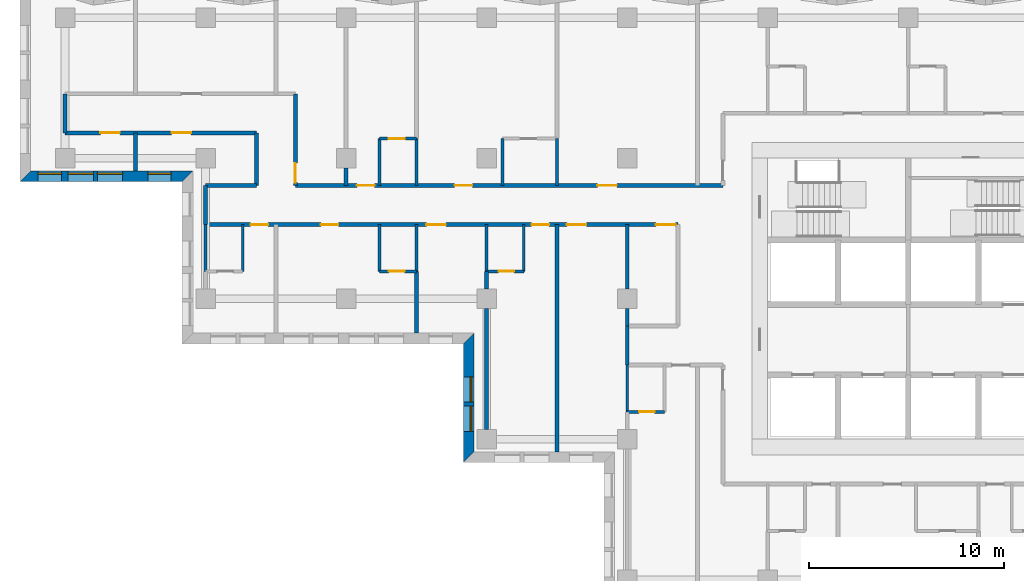
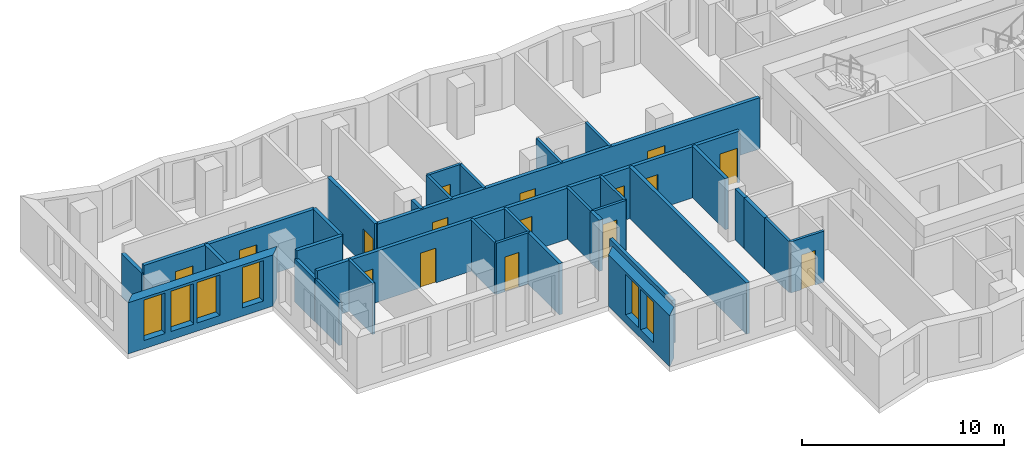
# One storey, part 4 of 13: 34 walls, 16 doors, 6 windows, 22 openings.
"""IFC4 building model written with IfcOpenShell, lengths in metres."""

from ifc_helpers import new_model, si_unit, direction, frame, frame_2d, origin, place, context, subcontext, project, spatial, polyline, rectangle, outline, extrude, material, layer, layer_set, type_object, element, fill, save


model = new_model("IFC4")

# Units and contexts
model_context = context("Model", 3, precision=1e-05, world=origin(), true_north=direction((0.0, 1.0)))
body_context = subcontext(model_context, "Body", "Model", "MODEL_VIEW")
ifc_project = project(units=[si_unit("LENGTHUNIT", "METRE"), si_unit("AREAUNIT", "SQUARE_METRE"), si_unit("VOLUMEUNIT", "CUBIC_METRE"), si_unit("PLANEANGLEUNIT", "RADIAN"), si_unit("MASSUNIT", "GRAM", prefix="KILO")], contexts=[model_context])

# Site, building, storey
site_placement = place(None, origin())
site = spatial("IfcSite", under=ifc_project, at=site_placement, CompositionType="ELEMENT")
building_placement = place(site_placement, origin())
building = spatial("IfcBuilding", under=site, at=building_placement, Name="Windrow Commons", CompositionType="ELEMENT")
storey_placement = place(building_placement, frame((0.0, 0.0, 105.0)))
storey = spatial("IfcBuildingStorey", under=building, at=storey_placement, Name="L28", CompositionType="ELEMENT", Elevation=105.0)

# Wall, openings, windows
ifc_material_1 = material(Name="Brick masonry, red clay brick", Category="masonry")
ifc_layer_1 = layer(ifc_material_1, 0.55)
ifc_layer_set_1 = layer_set([ifc_layer_1], Name="Brick facade wall 550")
wall_type_1 = type_object("IfcWallType", Name="Brick facade wall 550", PredefinedType="SOLIDWALL", material=ifc_layer_set_1)
wall_1_placement = place(storey_placement, frame((19.563, 63.875, 0.0), z_axis=(0.0, 0.0, 1.0), x_axis=(1.0, 0.0, 0.0)))
wall_1 = element("IfcWall", 1, at=wall_1_placement, inside=storey, type_object=wall_type_1, Name="Brick facade wall L28 38", PredefinedType="SOLIDWALL", context=body_context, shape_type="SweptSolid", body=[
    extrude(outline(polyline([(-0.275, -0.275), (8.037, -0.275), (8.587, 0.275), (0.275, 0.275), (-0.275, -0.275)])), origin(), (0.0, 0.0, 1.0), 3.1),
])
opening_1_placement = place(wall_1_placement, frame((2.187, 0.0, 0.5)))
opening_1 = element("IfcOpeningElement", 2, at=opening_1_placement, cuts=wall_1, Name="Opening W1P", PredefinedType="OPENING", context=body_context, shape_type="SweptSolid", body=[
    extrude(rectangle(XDim=1.3, YDim=2.45, at=frame_2d((0.65, 1.225))), frame((0.0, 0.285, 0.0), z_axis=(0.0, -1.0, 0.0), x_axis=(1.0, 0.0, 0.0)), (0.0, 0.0, 1.0), 0.57),
])
opening_2_placement = place(wall_1_placement, frame((3.687, 0.0, 0.5)))
opening_2 = element("IfcOpeningElement", 3, at=opening_2_placement, cuts=wall_1, Name="Opening W1P", PredefinedType="OPENING", context=body_context, shape_type="SweptSolid", body=[
    extrude(rectangle(XDim=1.3, YDim=2.45, at=frame_2d((0.65, 1.225))), frame((0.0, 0.285, 0.0), z_axis=(0.0, -1.0, 0.0), x_axis=(1.0, 0.0, 0.0)), (0.0, 0.0, 1.0), 0.57),
])
opening_3_placement = place(wall_1_placement, frame((0.656, 0.0, 0.5)))
opening_3 = element("IfcOpeningElement", 4, at=opening_3_placement, cuts=wall_1, Name="Opening W7D", PredefinedType="OPENING", context=body_context, shape_type="SweptSolid", body=[
    extrude(rectangle(XDim=1.2, YDim=2.45, at=frame_2d((0.6, 1.225))), frame((0.0, 0.285, 0.0), z_axis=(0.0, -1.0, 0.0), x_axis=(1.0, 0.0, 0.0)), (0.0, 0.0, 1.0), 0.57),
])
opening_4_placement = place(wall_1_placement, frame((6.2745, 0.0, 0.5)))
opening_4 = element("IfcOpeningElement", 5, at=opening_4_placement, cuts=wall_1, Name="Opening W7D", PredefinedType="OPENING", context=body_context, shape_type="SweptSolid", body=[
    extrude(rectangle(XDim=1.2, YDim=2.45, at=frame_2d((0.6, 1.225))), frame((0.0, 0.285, 0.0), z_axis=(0.0, -1.0, 0.0), x_axis=(1.0, 0.0, 0.0)), (0.0, 0.0, 1.0), 0.57),
])
ifc_material_2 = material(Name="Clear float glass in anodised aluminium frame", Category="aluminium")
window_type_1 = type_object("IfcWindowType", Name="Window W1P pair 1300x2450", PartitioningType="SINGLE_PANEL", PredefinedType="WINDOW", material=ifc_material_2)
window_1_placement = place(opening_1_placement, origin())
window_1 = element("IfcWindow", 6, at=window_1_placement, inside=storey, type_object=window_type_1, Name="Window L28 38.1A", OverallHeight=2.45, OverallWidth=1.3, PartitioningType="SINGLE_PANEL", PredefinedType="WINDOW", context=body_context, shape_type="SweptSolid", body=[
    extrude(rectangle(XDim=1.3, YDim=2.45, at=frame_2d((0.65, 1.225))), frame((0.0, 0.155, 0.0), z_axis=(0.0, -1.0, 0.0), x_axis=(1.0, 0.0, 0.0)), (0.0, 0.0, 1.0), 0.06),
])
fill(opening_1, window_1)
window_2_placement = place(opening_2_placement, origin())
window_2 = element("IfcWindow", 7, at=window_2_placement, inside=storey, type_object=window_type_1, Name="Window L28 38.1B", OverallHeight=2.45, OverallWidth=1.3, PartitioningType="SINGLE_PANEL", PredefinedType="WINDOW", context=body_context, shape_type="SweptSolid", body=[
    extrude(rectangle(XDim=1.3, YDim=2.45, at=frame_2d((0.65, 1.225))), frame((0.0, 0.155, 0.0), z_axis=(0.0, -1.0, 0.0), x_axis=(1.0, 0.0, 0.0)), (0.0, 0.0, 1.0), 0.06),
])
fill(opening_2, window_2)
ifc_material_3 = material(Name="Clear float glass in anodised aluminium frame", Category="aluminium")
window_type_2 = type_object("IfcWindowType", Name="Window W7 notch 1200x2450", PartitioningType="SINGLE_PANEL", PredefinedType="WINDOW", material=ifc_material_3)
window_3_placement = place(opening_3_placement, origin())
window_3 = element("IfcWindow", 8, at=window_3_placement, inside=storey, type_object=window_type_2, Name="Window L28 38.2", OverallHeight=2.45, OverallWidth=1.2, PartitioningType="SINGLE_PANEL", PredefinedType="WINDOW", context=body_context, shape_type="SweptSolid", body=[
    extrude(rectangle(XDim=1.2, YDim=2.45, at=frame_2d((0.6, 1.225))), frame((0.0, 0.155, 0.0), z_axis=(0.0, -1.0, 0.0), x_axis=(1.0, 0.0, 0.0)), (0.0, 0.0, 1.0), 0.06),
])
fill(opening_3, window_3)
window_4_placement = place(opening_4_placement, origin())
window_4 = element("IfcWindow", 9, at=window_4_placement, inside=storey, type_object=window_type_2, Name="Window L28 38.3", OverallHeight=2.45, OverallWidth=1.2, PartitioningType="SINGLE_PANEL", PredefinedType="WINDOW", context=body_context, shape_type="SweptSolid", body=[
    extrude(rectangle(XDim=1.2, YDim=2.45, at=frame_2d((0.6, 1.225))), frame((0.0, 0.155, 0.0), z_axis=(0.0, -1.0, 0.0), x_axis=(1.0, 0.0, 0.0)), (0.0, 0.0, 1.0), 0.06),
])
fill(opening_4, window_4)

wall_2_placement = place(storey_placement, frame((42.275, 55.563, 0.0), z_axis=(0.0, 0.0, 1.0), x_axis=(0.0, -1.0, 0.0)))
wall_2 = element("IfcWall", 10, at=wall_2_placement, inside=storey, type_object=wall_type_1, Name="Brick facade wall L28 41", PredefinedType="SOLIDWALL", context=body_context, shape_type="SweptSolid", body=[
    extrude(outline(polyline([(0.275, -0.275), (6.363, -0.275), (5.813, 0.275), (-0.275, 0.275), (0.275, -0.275)])), origin(), (0.0, 0.0, 1.0), 3.1),
])
opening_5_placement = place(wall_2_placement, frame((1.963, 0.0, 0.5)))
opening_5 = element("IfcOpeningElement", 11, at=opening_5_placement, cuts=wall_2, Name="Opening W1P", PredefinedType="OPENING", context=body_context, shape_type="SweptSolid", body=[
    extrude(rectangle(XDim=1.3, YDim=2.45, at=frame_2d((0.65, 1.225))), frame((0.0, 0.285, 0.0), z_axis=(0.0, -1.0, 0.0), x_axis=(1.0, 0.0, 0.0)), (0.0, 0.0, 1.0), 0.57),
])
opening_6_placement = place(wall_2_placement, frame((3.463, 0.0, 0.5)))
opening_6 = element("IfcOpeningElement", 12, at=opening_6_placement, cuts=wall_2, Name="Opening W1P", PredefinedType="OPENING", context=body_context, shape_type="SweptSolid", body=[
    extrude(rectangle(XDim=1.3, YDim=2.45, at=frame_2d((0.65, 1.225))), frame((0.0, 0.285, 0.0), z_axis=(0.0, -1.0, 0.0), x_axis=(1.0, 0.0, 0.0)), (0.0, 0.0, 1.0), 0.57),
])
window_5_placement = place(opening_5_placement, origin())
window_5 = element("IfcWindow", 13, at=window_5_placement, inside=storey, type_object=window_type_1, Name="Window L28 41.1A", OverallHeight=2.45, OverallWidth=1.3, PartitioningType="SINGLE_PANEL", PredefinedType="WINDOW", context=body_context, shape_type="SweptSolid", body=[
    extrude(rectangle(XDim=1.3, YDim=2.45, at=frame_2d((0.65, 1.225))), frame((0.0, 0.155, 0.0), z_axis=(0.0, -1.0, 0.0), x_axis=(1.0, 0.0, 0.0)), (0.0, 0.0, 1.0), 0.06),
])
fill(opening_5, window_5)
window_6_placement = place(opening_6_placement, origin())
window_6 = element("IfcWindow", 14, at=window_6_placement, inside=storey, type_object=window_type_1, Name="Window L28 41.1B", OverallHeight=2.45, OverallWidth=1.3, PartitioningType="SINGLE_PANEL", PredefinedType="WINDOW", context=body_context, shape_type="SweptSolid", body=[
    extrude(rectangle(XDim=1.3, YDim=2.45, at=frame_2d((0.65, 1.225))), frame((0.0, 0.155, 0.0), z_axis=(0.0, -1.0, 0.0), x_axis=(1.0, 0.0, 0.0)), (0.0, 0.0, 1.0), 0.06),
])
fill(opening_6, window_6)

# Wall, openings, doors
ifc_material_4 = material(Name="Blockwork partition", Category="masonry")
ifc_layer_2 = layer(ifc_material_4, 0.2)
ifc_layer_set_2 = layer_set([ifc_layer_2], Name="IW-CORRIDOR-200")
wall_type_2 = type_object("IfcWallType", Name="IW-CORRIDOR-200", PredefinedType="PARTITIONING", material=ifc_layer_set_2)
wall_3_placement = place(storey_placement, frame((28.8, 61.4, 0.0), z_axis=(0.0, 0.0, 1.0), x_axis=(1.0, 0.0, 0.0)))
wall_3 = element("IfcWall", 15, at=wall_3_placement, inside=storey, type_object=wall_type_2, Name="W-L28-W000", PredefinedType="PARTITIONING", context=body_context, shape_type="SweptSolid", body=[
    extrude(rectangle(XDim=24.2, YDim=0.2, at=frame_2d((12.1, 0.0))), origin(), (0.0, 0.0, 1.0), 3.1),
])
opening_7_placement = place(wall_3_placement, frame((2.3, 0.0, 0.0)))
opening_7 = element("IfcOpeningElement", 16, at=opening_7_placement, cuts=wall_3, Name="Opening D109S", PredefinedType="OPENING", context=body_context, shape_type="SweptSolid", body=[
    extrude(rectangle(XDim=0.9, YDim=2.1, at=frame_2d((0.45, 1.05))), frame((0.0, 0.11, 0.0), z_axis=(0.0, -1.0, 0.0), x_axis=(1.0, 0.0, 0.0)), (0.0, 0.0, 1.0), 0.22),
])
opening_8_placement = place(wall_3_placement, frame((5.9006, 0.0, 0.0)))
opening_8 = element("IfcOpeningElement", 17, at=opening_8_placement, cuts=wall_3, Name="Opening D109F", PredefinedType="OPENING", context=body_context, shape_type="SweptSolid", body=[
    extrude(rectangle(XDim=0.9, YDim=2.1, at=frame_2d((0.45, 1.05))), frame((0.0, 0.11, 0.0), z_axis=(0.0, -1.0, 0.0), x_axis=(1.0, 0.0, 0.0)), (0.0, 0.0, 1.0), 0.22),
])
opening_9_placement = place(wall_3_placement, frame((11.3075, 0.0, 0.0)))
opening_9 = element("IfcOpeningElement", 18, at=opening_9_placement, cuts=wall_3, Name="Opening D310F", PredefinedType="OPENING", context=body_context, shape_type="SweptSolid", body=[
    extrude(rectangle(XDim=1.0, YDim=2.1, at=frame_2d((0.5, 1.05))), frame((0.0, 0.11, 0.0), z_axis=(0.0, -1.0, 0.0), x_axis=(1.0, 0.0, 0.0)), (0.0, 0.0, 1.0), 0.22),
])
opening_10_placement = place(wall_3_placement, frame((16.7, 0.0, 0.0)))
opening_10 = element("IfcOpeningElement", 19, at=opening_10_placement, cuts=wall_3, Name="Opening D109S", PredefinedType="OPENING", context=body_context, shape_type="SweptSolid", body=[
    extrude(rectangle(XDim=0.9, YDim=2.1, at=frame_2d((0.45, 1.05))), frame((0.0, 0.11, 0.0), z_axis=(0.0, -1.0, 0.0), x_axis=(1.0, 0.0, 0.0)), (0.0, 0.0, 1.0), 0.22),
])
opening_11_placement = place(wall_3_placement, frame((18.5075, 0.0, 0.0)))
opening_11 = element("IfcOpeningElement", 20, at=opening_11_placement, cuts=wall_3, Name="Opening D310F", PredefinedType="OPENING", context=body_context, shape_type="SweptSolid", body=[
    extrude(rectangle(XDim=1.0, YDim=2.1, at=frame_2d((0.5, 1.05))), frame((0.0, 0.11, 0.0), z_axis=(0.0, -1.0, 0.0), x_axis=(1.0, 0.0, 0.0)), (0.0, 0.0, 1.0), 0.22),
])
opening_12_placement = place(wall_3_placement, frame((23.0741, 0.0, 0.0)))
opening_12 = element("IfcOpeningElement", 21, at=opening_12_placement, cuts=wall_3, Name="Opening D410F", PredefinedType="OPENING", context=body_context, shape_type="SweptSolid", body=[
    extrude(rectangle(XDim=1.0, YDim=2.1, at=frame_2d((0.5, 1.05))), frame((0.0, 0.11, 0.0), z_axis=(0.0, -1.0, 0.0), x_axis=(1.0, 0.0, 0.0)), (0.0, 0.0, 1.0), 0.22),
])
ifc_material_5 = material(Name="Timber door leaf", Category="wood")
door_type_1 = type_object("IfcDoorType", Name="DT-AMENITY-1000", OperationType="SINGLE_SWING_LEFT", PredefinedType="DOOR", material=ifc_material_5)
door_1_placement = place(opening_9_placement, origin())
door_1 = element("IfcDoor", 22, at=door_1_placement, inside=storey, type_object=door_type_1, Name="D-L28-D016", OperationType="SINGLE_SWING_RIGHT", OverallHeight=2.1, OverallWidth=1.0, PredefinedType="DOOR", context=body_context, shape_type="SweptSolid", body=[
    extrude(rectangle(XDim=1.0, YDim=2.1, at=frame_2d((0.5, 1.05))), frame((0.0, 0.025, 0.0), z_axis=(0.0, -1.0, 0.0), x_axis=(1.0, 0.0, 0.0)), (0.0, 0.0, 1.0), 0.05),
])
fill(opening_9, door_1)
door_2_placement = place(opening_11_placement, origin())
door_2 = element("IfcDoor", 23, at=door_2_placement, inside=storey, type_object=door_type_1, Name="D-L28-D019", OperationType="SINGLE_SWING_RIGHT", OverallHeight=2.1, OverallWidth=1.0, PredefinedType="DOOR", context=body_context, shape_type="SweptSolid", body=[
    extrude(rectangle(XDim=1.0, YDim=2.1, at=frame_2d((0.5, 1.05))), frame((0.0, 0.025, 0.0), z_axis=(0.0, -1.0, 0.0), x_axis=(1.0, 0.0, 0.0)), (0.0, 0.0, 1.0), 0.05),
])
fill(opening_11, door_2)
ifc_material_6 = material(Name="Timber door leaf", Category="wood")
door_type_2 = type_object("IfcDoorType", Name="DT-BEDROOM-900", OperationType="SINGLE_SWING_LEFT", PredefinedType="DOOR", material=ifc_material_6)
door_3_placement = place(opening_7_placement, origin())
door_3 = element("IfcDoor", 24, at=door_3_placement, inside=storey, type_object=door_type_2, Name="D-L28-D004", OperationType="SINGLE_SWING_LEFT", OverallHeight=2.1, OverallWidth=0.9, PredefinedType="DOOR", context=body_context, shape_type="SweptSolid", body=[
    extrude(rectangle(XDim=0.9, YDim=2.1, at=frame_2d((0.45, 1.05))), frame((0.0, 0.025, 0.0), z_axis=(0.0, -1.0, 0.0), x_axis=(1.0, 0.0, 0.0)), (0.0, 0.0, 1.0), 0.05),
])
fill(opening_7, door_3)
door_4_placement = place(opening_8_placement, origin())
door_4 = element("IfcDoor", 25, at=door_4_placement, inside=storey, type_object=door_type_2, Name="D-L28-D006", OperationType="SINGLE_SWING_RIGHT", OverallHeight=2.1, OverallWidth=0.9, PredefinedType="DOOR", context=body_context, shape_type="SweptSolid", body=[
    extrude(rectangle(XDim=0.9, YDim=2.1, at=frame_2d((0.45, 1.05))), frame((0.0, 0.025, 0.0), z_axis=(0.0, -1.0, 0.0), x_axis=(1.0, 0.0, 0.0)), (0.0, 0.0, 1.0), 0.05),
])
fill(opening_8, door_4)
door_5_placement = place(opening_10_placement, origin())
door_5 = element("IfcDoor", 26, at=door_5_placement, inside=storey, type_object=door_type_2, Name="D-L28-D017", OperationType="SINGLE_SWING_LEFT", OverallHeight=2.1, OverallWidth=0.9, PredefinedType="DOOR", context=body_context, shape_type="SweptSolid", body=[
    extrude(rectangle(XDim=0.9, YDim=2.1, at=frame_2d((0.45, 1.05))), frame((0.0, 0.025, 0.0), z_axis=(0.0, -1.0, 0.0), x_axis=(1.0, 0.0, 0.0)), (0.0, 0.0, 1.0), 0.05),
])
fill(opening_10, door_5)
ifc_material_7 = material(Name="Timber door leaf", Category="wood")
door_type_3 = type_object("IfcDoorType", Name="DT-SERVICE-1000", OperationType="SINGLE_SWING_LEFT", PredefinedType="DOOR", material=ifc_material_7)
door_6_placement = place(opening_12_placement, origin())
door_6 = element("IfcDoor", 27, at=door_6_placement, inside=storey, type_object=door_type_3, Name="D-L28-D020", OperationType="SINGLE_SWING_LEFT", OverallHeight=2.1, OverallWidth=1.0, PredefinedType="DOOR", context=body_context, shape_type="SweptSolid", body=[
    extrude(rectangle(XDim=1.0, YDim=2.1, at=frame_2d((0.5, 1.05))), frame((0.0, 0.025, 0.0), z_axis=(0.0, -1.0, 0.0), x_axis=(1.0, 0.0, 0.0)), (0.0, 0.0, 1.0), 0.05),
])
fill(opening_12, door_6)

wall_4_placement = place(storey_placement, frame((33.4, 63.4, 0.0), z_axis=(0.0, 0.0, 1.0), x_axis=(1.0, 0.0, 0.0)))
wall_4 = element("IfcWall", 28, at=wall_4_placement, inside=storey, type_object=wall_type_2, Name="W-L28-W001", PredefinedType="PARTITIONING", context=body_context, shape_type="SweptSolid", body=[
    extrude(rectangle(XDim=21.9, YDim=0.2, at=frame_2d((10.95, 0.0))), origin(), (0.0, 0.0, 1.0), 3.1),
])
opening_13_placement = place(wall_4_placement, frame((3.1517, 0.0, 0.0)))
opening_13 = element("IfcOpeningElement", 29, at=opening_13_placement, cuts=wall_4, Name="Opening D109S", PredefinedType="OPENING", context=body_context, shape_type="SweptSolid", body=[
    extrude(rectangle(XDim=0.9, YDim=2.1, at=frame_2d((0.45, 1.05))), frame((0.0, 0.11, 0.0), z_axis=(0.0, -1.0, 0.0), x_axis=(1.0, 0.0, 0.0)), (0.0, 0.0, 1.0), 0.22),
])
opening_14_placement = place(wall_4_placement, frame((8.1607, 0.0, 0.0)))
opening_14 = element("IfcOpeningElement", 30, at=opening_14_placement, cuts=wall_4, Name="Opening D109F", PredefinedType="OPENING", context=body_context, shape_type="SweptSolid", body=[
    extrude(rectangle(XDim=0.9, YDim=2.1, at=frame_2d((0.45, 1.05))), frame((0.0, 0.11, 0.0), z_axis=(0.0, -1.0, 0.0), x_axis=(1.0, 0.0, 0.0)), (0.0, 0.0, 1.0), 0.22),
])
opening_15_placement = place(wall_4_placement, frame((15.4712, 0.0, 0.0)))
opening_15 = element("IfcOpeningElement", 31, at=opening_15_placement, cuts=wall_4, Name="Opening D310F", PredefinedType="OPENING", context=body_context, shape_type="SweptSolid", body=[
    extrude(rectangle(XDim=1.0, YDim=2.1, at=frame_2d((0.5, 1.05))), frame((0.0, 0.11, 0.0), z_axis=(0.0, -1.0, 0.0), x_axis=(1.0, 0.0, 0.0)), (0.0, 0.0, 1.0), 0.22),
])
door_7_placement = place(opening_15_placement, origin())
door_7 = element("IfcDoor", 32, at=door_7_placement, inside=storey, type_object=door_type_1, Name="D-L28-D013", OperationType="SINGLE_SWING_LEFT", OverallHeight=2.1, OverallWidth=1.0, PredefinedType="DOOR", context=body_context, shape_type="SweptSolid", body=[
    extrude(rectangle(XDim=1.0, YDim=2.1, at=frame_2d((0.5, 1.05))), frame((0.0, 0.025, 0.0), z_axis=(0.0, -1.0, 0.0), x_axis=(1.0, 0.0, 0.0)), (0.0, 0.0, 1.0), 0.05),
])
fill(opening_15, door_7)
door_8_placement = place(opening_13_placement, origin())
door_8 = element("IfcDoor", 33, at=door_8_placement, inside=storey, type_object=door_type_2, Name="D-L28-D009", OperationType="SINGLE_SWING_RIGHT", OverallHeight=2.1, OverallWidth=0.9, PredefinedType="DOOR", context=body_context, shape_type="SweptSolid", body=[
    extrude(rectangle(XDim=0.9, YDim=2.1, at=frame_2d((0.45, 1.05))), frame((0.0, 0.025, 0.0), z_axis=(0.0, -1.0, 0.0), x_axis=(1.0, 0.0, 0.0)), (0.0, 0.0, 1.0), 0.05),
])
fill(opening_13, door_8)
door_9_placement = place(opening_14_placement, origin())
door_9 = element("IfcDoor", 34, at=door_9_placement, inside=storey, type_object=door_type_2, Name="D-L28-D011", OperationType="SINGLE_SWING_LEFT", OverallHeight=2.1, OverallWidth=0.9, PredefinedType="DOOR", context=body_context, shape_type="SweptSolid", body=[
    extrude(rectangle(XDim=0.9, YDim=2.1, at=frame_2d((0.45, 1.05))), frame((0.0, 0.025, 0.0), z_axis=(0.0, -1.0, 0.0), x_axis=(1.0, 0.0, 0.0)), (0.0, 0.0, 1.0), 0.05),
])
fill(opening_14, door_9)

wall_5_placement = place(storey_placement, frame((21.602, 66.1, 0.0), z_axis=(0.0, 0.0, 1.0), x_axis=(1.0, 0.0, 0.0)))
wall_5 = element("IfcWall", 35, at=wall_5_placement, inside=storey, type_object=wall_type_2, Name="W-L28-W012", PredefinedType="PARTITIONING", context=body_context, shape_type="SweptSolid", body=[
    extrude(rectangle(XDim=9.796, YDim=0.2, at=frame_2d((4.898, 0.0))), origin(), (0.0, 0.0, 1.0), 3.1),
])
opening_16_placement = place(wall_5_placement, frame((1.8052, 0.0, 0.0)))
opening_16 = element("IfcOpeningElement", 36, at=opening_16_placement, cuts=wall_5, Name="Opening D310F", PredefinedType="OPENING", context=body_context, shape_type="SweptSolid", body=[
    extrude(rectangle(XDim=1.0, YDim=2.1, at=frame_2d((0.5, 1.05))), frame((0.0, 0.11, 0.0), z_axis=(0.0, -1.0, 0.0), x_axis=(1.0, 0.0, 0.0)), (0.0, 0.0, 1.0), 0.22),
])
opening_17_placement = place(wall_5_placement, frame((5.4593, 0.0, 0.0)))
opening_17 = element("IfcOpeningElement", 37, at=opening_17_placement, cuts=wall_5, Name="Opening D310F", PredefinedType="OPENING", context=body_context, shape_type="SweptSolid", body=[
    extrude(rectangle(XDim=1.0, YDim=2.1, at=frame_2d((0.5, 1.05))), frame((0.0, 0.11, 0.0), z_axis=(0.0, -1.0, 0.0), x_axis=(1.0, 0.0, 0.0)), (0.0, 0.0, 1.0), 0.22),
])
door_10_placement = place(opening_16_placement, origin())
door_10 = element("IfcDoor", 38, at=door_10_placement, inside=storey, type_object=door_type_1, Name="D-L28-D001", OperationType="SINGLE_SWING_RIGHT", OverallHeight=2.1, OverallWidth=1.0, PredefinedType="DOOR", context=body_context, shape_type="SweptSolid", body=[
    extrude(rectangle(XDim=1.0, YDim=2.1, at=frame_2d((0.5, 1.05))), frame((0.0, 0.025, 0.0), z_axis=(0.0, -1.0, 0.0), x_axis=(1.0, 0.0, 0.0)), (0.0, 0.0, 1.0), 0.05),
])
fill(opening_16, door_10)
door_11_placement = place(opening_17_placement, origin())
door_11 = element("IfcDoor", 39, at=door_11_placement, inside=storey, type_object=door_type_1, Name="D-L28-D002", OperationType="SINGLE_SWING_RIGHT", OverallHeight=2.1, OverallWidth=1.0, PredefinedType="DOOR", context=body_context, shape_type="SweptSolid", body=[
    extrude(rectangle(XDim=1.0, YDim=2.1, at=frame_2d((0.5, 1.05))), frame((0.0, 0.025, 0.0), z_axis=(0.0, -1.0, 0.0), x_axis=(1.0, 0.0, 0.0)), (0.0, 0.0, 1.0), 0.05),
])
fill(opening_17, door_11)

# Wall, opening, door
wall_6_placement = place(storey_placement, frame((33.4, 63.402, 0.0), z_axis=(0.0, 0.0, 1.0), x_axis=(0.0, 1.0, 0.0)))
wall_6 = element("IfcWall", 40, at=wall_6_placement, inside=storey, type_object=wall_type_2, Name="W-L28-W043", PredefinedType="PARTITIONING", context=body_context, shape_type="SweptSolid", body=[
    extrude(rectangle(XDim=4.698, YDim=0.2, at=frame_2d((2.349, 0.0))), origin(), (0.0, 0.0, 1.0), 3.1),
])
opening_18_placement = place(wall_6_placement, frame((0.1459, 0.0, 0.0)))
opening_18 = element("IfcOpeningElement", 41, at=opening_18_placement, cuts=wall_6, Name="Opening D310F", PredefinedType="OPENING", context=body_context, shape_type="SweptSolid", body=[
    extrude(rectangle(XDim=1.0, YDim=2.1, at=frame_2d((0.5, 1.05))), frame((0.0, 0.11, 0.0), z_axis=(0.0, -1.0, 0.0), x_axis=(1.0, 0.0, 0.0)), (0.0, 0.0, 1.0), 0.22),
])
door_12_placement = place(opening_18_placement, origin())
door_12 = element("IfcDoor", 42, at=door_12_placement, inside=storey, type_object=door_type_1, Name="D-L28-D008", OperationType="SINGLE_SWING_LEFT", OverallHeight=2.1, OverallWidth=1.0, PredefinedType="DOOR", context=body_context, shape_type="SweptSolid", body=[
    extrude(rectangle(XDim=1.0, YDim=2.1, at=frame_2d((0.5, 1.05))), frame((0.0, 0.025, 0.0), z_axis=(0.0, -1.0, 0.0), x_axis=(1.0, 0.0, 0.0)), (0.0, 0.0, 1.0), 0.05),
])
fill(opening_18, door_12)

# Walls
wall_7_placement = place(storey_placement, frame((31.4, 63.402, 0.0), z_axis=(0.0, 0.0, 1.0), x_axis=(0.0, 1.0, 0.0)))
element("IfcWall", 43, at=wall_7_placement, inside=storey, type_object=wall_type_2, Name="W-L28-W061", PredefinedType="PARTITIONING", context=body_context, shape_type="SweptSolid", body=[
    extrude(rectangle(XDim=2.696, YDim=0.2, at=frame_2d((1.348, 0.0))), origin(), (0.0, 0.0, 1.0), 3.1),
])
wall_8_placement = place(storey_placement, frame((28.802, 63.4, 0.0), z_axis=(0.0, 0.0, 1.0), x_axis=(1.0, 0.0, 0.0)))
element("IfcWall", 44, at=wall_8_placement, inside=storey, type_object=wall_type_2, Name="W-L28-W063", PredefinedType="PARTITIONING", context=body_context, shape_type="SweptSolid", body=[
    extrude(rectangle(XDim=2.596, YDim=0.2, at=frame_2d((1.298, 0.0))), origin(), (0.0, 0.0, 1.0), 3.1),
])
wall_9_placement = place(storey_placement, frame((28.8, 61.4, 0.0), z_axis=(0.0, 0.0, 1.0), x_axis=(0.0, 1.0, 0.0)))
element("IfcWall", 45, at=wall_9_placement, inside=storey, type_object=wall_type_2, Name="W-L28-W104", PredefinedType="PARTITIONING", context=body_context, shape_type="SweptSolid", body=[
    extrude(rectangle(XDim=2.0, YDim=0.2, at=frame_2d((1.0, 0.0))), origin(), (0.0, 0.0, 1.0), 2.6),
])
wall_10_placement = place(storey_placement, frame((50.4, 54.2, 0.0), z_axis=(0.0, 0.0, 1.0), x_axis=(0.0, 1.0, 0.0)))
element("IfcWall", 46, at=wall_10_placement, inside=storey, type_object=wall_type_2, Name="W-L28-W105", PredefinedType="PARTITIONING", context=body_context, shape_type="SweptSolid", body=[
    extrude(rectangle(XDim=2.0, YDim=0.2, at=frame_2d((1.0, 0.0))), origin(), (0.0, 0.0, 1.0), 3.1),
])
wall_11_placement = place(storey_placement, frame((21.6, 66.102, 0.0), z_axis=(0.0, 0.0, 1.0), x_axis=(0.0, 1.0, 0.0)))
element("IfcWall", 47, at=wall_11_placement, inside=storey, type_object=wall_type_2, Name="W-L28-W113", PredefinedType="PARTITIONING", context=body_context, shape_type="SweptSolid", body=[
    extrude(rectangle(XDim=1.996, YDim=0.2, at=frame_2d((0.998, 0.0))), origin(), (0.0, 0.0, 1.0), 2.6),
])
ifc_material_8 = material(Name="Blockwork partition", Category="masonry")
ifc_layer_3 = layer(ifc_material_8, 0.15)
ifc_layer_set_3 = layer_set([ifc_layer_3], Name="IW-ENSUITE-150")
wall_type_3 = type_object("IfcWallType", Name="IW-ENSUITE-150", PredefinedType="PARTITIONING", material=ifc_layer_set_3)
for number, where, z_axis, x_axis, name in (
    (48, (50.4, 51.8, 0.0), (0.0, 0.0, 1.0), (0.0, 1.0, 0.0), "W-L28-W071"),
    (49, (30.7, 59.0, 0.0), (0.0, 0.0, 1.0), (0.0, 1.0, 0.0), "W-L28-W076"),
):
    element("IfcWall", number, at=place(storey_placement, frame(where, z_axis=z_axis, x_axis=x_axis)), inside=storey, type_object=wall_type_3, Name=name, PredefinedType="PARTITIONING", context=body_context, shape_type="SweptSolid", body=[
        extrude(rectangle(XDim=2.4, YDim=0.15, at=frame_2d((1.2, 0.0))), origin(), (0.0, 0.0, 1.0), 3.1),
    ])
wall_12_placement = place(storey_placement, frame((28.8, 59.0, 0.0), z_axis=(0.0, 0.0, 1.0), x_axis=(0.0, 1.0, 0.0)))
element("IfcWall", 50, at=wall_12_placement, inside=storey, type_object=wall_type_3, Name="W-L28-W077", PredefinedType="PARTITIONING", context=body_context, shape_type="SweptSolid", body=[
    extrude(rectangle(XDim=2.4, YDim=0.15, at=frame_2d((1.2, 0.0))), origin(), (0.0, 0.0, 1.0), 2.6),
])
for number, where, z_axis, x_axis, name in (
    (51, (37.7, 59.0, 0.0), (0.0, 0.0, 1.0), (0.0, 1.0, 0.0), "W-L28-W078"),
    (52, (37.7, 63.4, 0.0), (0.0, 0.0, 1.0), (0.0, 1.0, 0.0), "W-L28-W079"),
    (53, (39.6, 59.0, 0.0), (0.0, 0.0, 1.0), (0.0, 1.0, 0.0), "W-L28-W080"),
    (54, (39.6, 63.4, 0.0), (0.0, 0.0, 1.0), (0.0, 1.0, 0.0), "W-L28-W081"),
    (55, (45.1, 59.0, 0.0), (0.0, 0.0, 1.0), (0.0, 1.0, 0.0), "W-L28-W082"),
    (56, (43.2, 59.0, 0.0), (0.0, 0.0, 1.0), (0.0, 1.0, 0.0), "W-L28-W083"),
    (57, (44.0, 63.4, 0.0), (0.0, 0.0, 1.0), (0.0, 1.0, 0.0), "W-L28-W084"),
    (58, (46.8, 63.4, 0.0), (0.0, 0.0, 1.0), (0.0, 1.0, 0.0), "W-L28-W085"),
):
    element("IfcWall", number, at=place(storey_placement, frame(where, z_axis=z_axis, x_axis=x_axis)), inside=storey, type_object=wall_type_3, Name=name, PredefinedType="PARTITIONING", context=body_context, shape_type="SweptSolid", body=[
        extrude(rectangle(XDim=2.4, YDim=0.15, at=frame_2d((1.2, 0.0))), origin(), (0.0, 0.0, 1.0), 3.1),
    ])

# Wall, opening, door
wall_13_placement = place(storey_placement, frame((37.7, 59.0, 0.0), z_axis=(0.0, 0.0, 1.0), x_axis=(1.0, 0.0, 0.0)))
wall_13 = element("IfcWall", 59, at=wall_13_placement, inside=storey, type_object=wall_type_3, Name="W-L28-W122", PredefinedType="PARTITIONING", context=body_context, shape_type="SweptSolid", body=[
    extrude(rectangle(XDim=1.9, YDim=0.15, at=frame_2d((0.95, 0.0))), origin(), (0.0, 0.0, 1.0), 3.1),
])
opening_19_placement = place(wall_13_placement, frame((0.4931, 0.0, 0.0)))
opening_19 = element("IfcOpeningElement", 60, at=opening_19_placement, cuts=wall_13, Name="Opening D208N", PredefinedType="OPENING", context=body_context, shape_type="SweptSolid", body=[
    extrude(rectangle(XDim=0.8, YDim=2.1, at=frame_2d((0.4, 1.05))), frame((0.0, 0.085, 0.0), z_axis=(0.0, -1.0, 0.0), x_axis=(1.0, 0.0, 0.0)), (0.0, 0.0, 1.0), 0.17),
])
ifc_material_9 = material(Name="Timber door leaf", Category="wood")
door_type_4 = type_object("IfcDoorType", Name="DT-ENSUITE-800", OperationType="SINGLE_SWING_LEFT", PredefinedType="DOOR", material=ifc_material_9)
door_13_placement = place(opening_19_placement, origin())
door_13 = element("IfcDoor", 61, at=door_13_placement, inside=storey, type_object=door_type_4, Name="D-L28-D007", OperationType="SINGLE_SWING_RIGHT", OverallHeight=2.1, OverallWidth=0.8, PredefinedType="DOOR", context=body_context, shape_type="SweptSolid", body=[
    extrude(rectangle(XDim=0.8, YDim=2.1, at=frame_2d((0.4, 1.05))), frame((0.0, 0.025, 0.0), z_axis=(0.0, -1.0, 0.0), x_axis=(1.0, 0.0, 0.0)), (0.0, 0.0, 1.0), 0.05),
])
fill(opening_19, door_13)

wall_14_placement = place(storey_placement, frame((43.2, 59.0, 0.0), z_axis=(0.0, 0.0, 1.0), x_axis=(1.0, 0.0, 0.0)))
wall_14 = element("IfcWall", 62, at=wall_14_placement, inside=storey, type_object=wall_type_3, Name="W-L28-W123", PredefinedType="PARTITIONING", context=body_context, shape_type="SweptSolid", body=[
    extrude(rectangle(XDim=1.9, YDim=0.15, at=frame_2d((0.95, 0.0))), origin(), (0.0, 0.0, 1.0), 3.1),
])
opening_20_placement = place(wall_14_placement, frame((0.6069, 0.0, 0.0)))
opening_20 = element("IfcOpeningElement", 63, at=opening_20_placement, cuts=wall_14, Name="Opening D208N", PredefinedType="OPENING", context=body_context, shape_type="SweptSolid", body=[
    extrude(rectangle(XDim=0.8, YDim=2.1, at=frame_2d((0.4, 1.05))), frame((0.0, 0.085, 0.0), z_axis=(0.0, -1.0, 0.0), x_axis=(1.0, 0.0, 0.0)), (0.0, 0.0, 1.0), 0.17),
])
door_14_placement = place(opening_20_placement, origin())
door_14 = element("IfcDoor", 64, at=door_14_placement, inside=storey, type_object=door_type_4, Name="D-L28-D018", OperationType="SINGLE_SWING_RIGHT", OverallHeight=2.1, OverallWidth=0.8, PredefinedType="DOOR", context=body_context, shape_type="SweptSolid", body=[
    extrude(rectangle(XDim=0.8, YDim=2.1, at=frame_2d((0.4, 1.05))), frame((0.0, 0.025, 0.0), z_axis=(0.0, -1.0, 0.0), x_axis=(1.0, 0.0, 0.0)), (0.0, 0.0, 1.0), 0.05),
])
fill(opening_20, door_14)

wall_15_placement = place(storey_placement, frame((37.7, 65.8, 0.0), z_axis=(0.0, 0.0, 1.0), x_axis=(1.0, 0.0, 0.0)))
wall_15 = element("IfcWall", 65, at=wall_15_placement, inside=storey, type_object=wall_type_3, Name="W-L28-W124", PredefinedType="PARTITIONING", context=body_context, shape_type="SweptSolid", body=[
    extrude(rectangle(XDim=1.9, YDim=0.15, at=frame_2d((0.95, 0.0))), origin(), (0.0, 0.0, 1.0), 3.1),
])
opening_21_placement = place(wall_15_placement, frame((0.4931, 0.0, 0.0)))
opening_21 = element("IfcOpeningElement", 66, at=opening_21_placement, cuts=wall_15, Name="Opening D208N", PredefinedType="OPENING", context=body_context, shape_type="SweptSolid", body=[
    extrude(rectangle(XDim=0.8, YDim=2.1, at=frame_2d((0.4, 1.05))), frame((0.0, 0.085, 0.0), z_axis=(0.0, -1.0, 0.0), x_axis=(1.0, 0.0, 0.0)), (0.0, 0.0, 1.0), 0.17),
])
door_15_placement = place(opening_21_placement, origin())
door_15 = element("IfcDoor", 67, at=door_15_placement, inside=storey, type_object=door_type_4, Name="D-L28-D010", OperationType="SINGLE_SWING_RIGHT", OverallHeight=2.1, OverallWidth=0.8, PredefinedType="DOOR", context=body_context, shape_type="SweptSolid", body=[
    extrude(rectangle(XDim=0.8, YDim=2.1, at=frame_2d((0.4, 1.05))), frame((0.0, 0.025, 0.0), z_axis=(0.0, -1.0, 0.0), x_axis=(1.0, 0.0, 0.0)), (0.0, 0.0, 1.0), 0.05),
])
fill(opening_21, door_15)

wall_16_placement = place(storey_placement, frame((50.4, 51.8, 0.0), z_axis=(0.0, 0.0, 1.0), x_axis=(1.0, 0.0, 0.0)))
wall_16 = element("IfcWall", 68, at=wall_16_placement, inside=storey, type_object=wall_type_3, Name="W-L28-W125", PredefinedType="PARTITIONING", context=body_context, shape_type="SweptSolid", body=[
    extrude(rectangle(XDim=1.9, YDim=0.15, at=frame_2d((0.95, 0.0))), origin(), (0.0, 0.0, 1.0), 3.1),
])
opening_22_placement = place(wall_16_placement, frame((0.6069, 0.0, 0.0)))
opening_22 = element("IfcOpeningElement", 69, at=opening_22_placement, cuts=wall_16, Name="Opening D208N", PredefinedType="OPENING", context=body_context, shape_type="SweptSolid", body=[
    extrude(rectangle(XDim=0.8, YDim=2.1, at=frame_2d((0.4, 1.05))), frame((0.0, 0.085, 0.0), z_axis=(0.0, -1.0, 0.0), x_axis=(1.0, 0.0, 0.0)), (0.0, 0.0, 1.0), 0.17),
])
door_16_placement = place(opening_22_placement, origin())
door_16 = element("IfcDoor", 70, at=door_16_placement, inside=storey, type_object=door_type_4, Name="D-L28-D022", OperationType="SINGLE_SWING_RIGHT", OverallHeight=2.1, OverallWidth=0.8, PredefinedType="DOOR", context=body_context, shape_type="SweptSolid", body=[
    extrude(rectangle(XDim=0.8, YDim=2.1, at=frame_2d((0.4, 1.05))), frame((0.0, 0.025, 0.0), z_axis=(0.0, -1.0, 0.0), x_axis=(1.0, 0.0, 0.0)), (0.0, 0.0, 1.0), 0.05),
])
fill(opening_22, door_16)

# Walls
ifc_material_10 = material(Name="Blockwork partition", Category="masonry")
ifc_layer_4 = layer(ifc_material_10, 0.2)
ifc_layer_set_4 = layer_set([ifc_layer_4], Name="IW-PARTY-200")
wall_type_4 = type_object("IfcWallType", Name="IW-PARTY-200", PredefinedType="PARTITIONING", material=ifc_layer_set_4)
wall_17_placement = place(storey_placement, frame((46.8, 49.75, 0.0), z_axis=(0.0, 0.0, 1.0), x_axis=(0.0, 1.0, 0.0)))
element("IfcWall", 71, at=wall_17_placement, inside=storey, type_object=wall_type_4, Name="W-L28-W010", PredefinedType="PARTITIONING", context=body_context, shape_type="SweptSolid", body=[
    extrude(rectangle(XDim=11.65, YDim=0.2, at=frame_2d((5.825, 0.0))), origin(), (0.0, 0.0, 1.0), 3.1),
])
wall_18_placement = place(storey_placement, frame((43.2, 50.9, 0.0), z_axis=(0.0, 0.0, 1.0), x_axis=(0.0, 1.0, 0.0)))
element("IfcWall", 72, at=wall_18_placement, inside=storey, type_object=wall_type_4, Name="W-L28-W025", PredefinedType="PARTITIONING", context=body_context, shape_type="SweptSolid", body=[
    extrude(rectangle(XDim=6.2, YDim=0.2, at=frame_2d((3.1, 0.0))), origin(), (0.0, 0.0, 1.0), 2.6),
])
wall_19_placement = place(storey_placement, frame((50.4, 58.1, 0.0), z_axis=(0.0, 0.0, 1.0), x_axis=(0.0, 1.0, 0.0)))
element("IfcWall", 73, at=wall_19_placement, inside=storey, type_object=wall_type_4, Name="W-L28-W055", PredefinedType="PARTITIONING", context=body_context, shape_type="SweptSolid", body=[
    extrude(rectangle(XDim=3.3, YDim=0.2, at=frame_2d((1.65, 0.0))), origin(), (0.0, 0.0, 1.0), 3.1),
])
wall_20_placement = place(storey_placement, frame((39.6, 55.838, 0.0), z_axis=(0.0, 0.0, 1.0), x_axis=(0.0, 1.0, 0.0)))
element("IfcWall", 74, at=wall_20_placement, inside=storey, type_object=wall_type_4, Name="W-L28-W059", PredefinedType="PARTITIONING", context=body_context, shape_type="SweptSolid", body=[
    extrude(rectangle(XDim=3.162, YDim=0.2, at=frame_2d((1.581, 0.0))), origin(), (0.0, 0.0, 1.0), 3.1),
])
wall_21_placement = place(storey_placement, frame((25.2, 64.15, 0.0), z_axis=(0.0, 0.0, 1.0), x_axis=(0.0, 1.0, 0.0)))
element("IfcWall", 75, at=wall_21_placement, inside=storey, type_object=wall_type_4, Name="W-L28-W128", PredefinedType="PARTITIONING", context=body_context, shape_type="SweptSolid", body=[
    extrude(rectangle(XDim=1.95, YDim=0.2, at=frame_2d((0.975, 0.0))), origin(), (0.0, 0.0, 1.0), 3.1),
])
for number, where, z_axis, x_axis, name in (
    (76, (36.0, 63.4, 0.0), (0.0, 0.0, 1.0), (0.0, 1.0, 0.0), "W-L28-W139"),
    (77, (43.2, 58.1, 0.0), (0.0, 0.0, 1.0), (0.0, 1.0, 0.0), "W-L28-W140"),
    (78, (50.4, 56.2, 0.0), (0.0, 0.0, 1.0), (0.0, 1.0, 0.0), "W-L28-W142"),
):
    element("IfcWall", number, at=place(storey_placement, frame(where, z_axis=z_axis, x_axis=x_axis)), inside=storey, type_object=wall_type_4, Name=name, PredefinedType="PARTITIONING", context=body_context, shape_type="SweptSolid", body=[
        extrude(rectangle(XDim=0.9, YDim=0.2, at=frame_2d((0.45, 0.0))), origin(), (0.0, 0.0, 1.0), 3.1),
    ])

save(model, "model.ifc")
